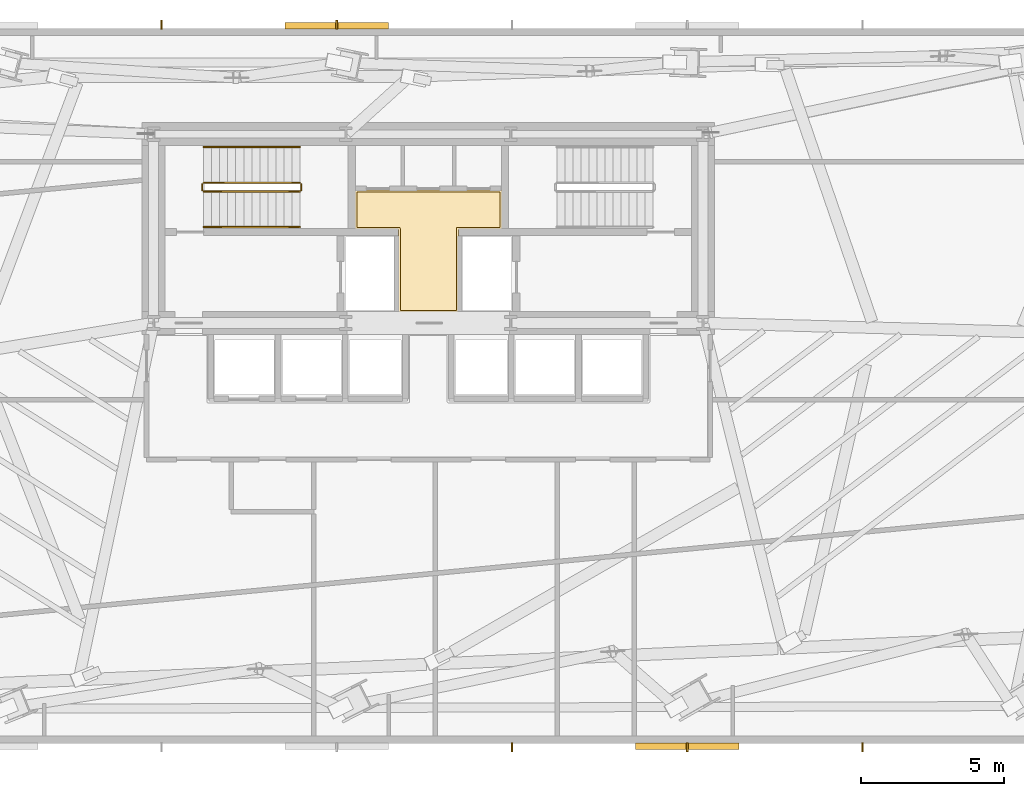
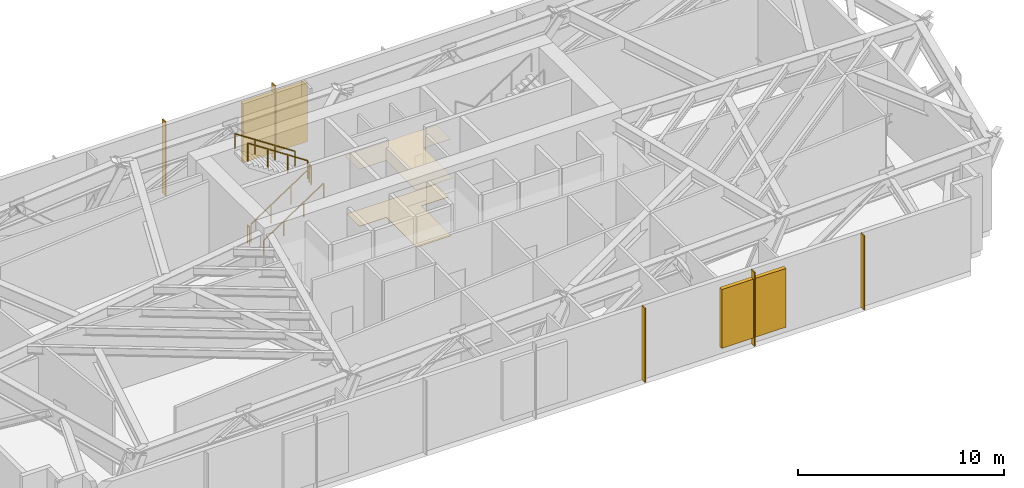
# One storey, part 10 of 11: 7 shading devices, 6 railings, 2 coverings.
"""IFC4 building model written with IfcOpenShell, lengths in metres."""

from ifc_helpers import new_model, si_unit, direction, frame, origin, origin_2d, place, context, subcontext, project, spatial, polyline, rectangle, outline, extrude, source, transform, mapped, material, layer, layer_set, type_object, type_shapes, element, save


model = new_model("IFC4")

# Units and contexts
model_context = context("Model", 3, precision=1e-05, world=origin(), true_north=direction((0.0, 1.0)))
body_context = subcontext(model_context, "Body", "Model", "MODEL_VIEW")
ifc_project = project(units=[si_unit("LENGTHUNIT", "METRE"), si_unit("AREAUNIT", "SQUARE_METRE"), si_unit("VOLUMEUNIT", "CUBIC_METRE"), si_unit("PLANEANGLEUNIT", "RADIAN"), si_unit("MASSUNIT", "GRAM", prefix="KILO")], contexts=[model_context])

# Site, building, storey
site_placement = place(None, origin())
site = spatial("IfcSite", under=ifc_project, at=site_placement, CompositionType="ELEMENT")
building_placement = place(site_placement, origin())
building = spatial("IfcBuilding", under=site, at=building_placement, Name="Astriad Promenade Condominiums", CompositionType="ELEMENT")
storey_placement = place(building_placement, frame((0.0, 0.0, 67.800048828125)))
storey = spatial("IfcBuildingStorey", under=building, at=storey_placement, Name="L19", CompositionType="ELEMENT", Elevation=67.800048828125)

# Coverings
ifc_material_1 = material(Name="Mineral-Fibre Acoustic Ceiling Tile")
ifc_layer_1 = layer(ifc_material_1, 0.02490234375)
ifc_layer_set_1 = layer_set([ifc_layer_1], Name="Mineral-Fibre Acoustic Ceiling Tile")
covering_type_1 = type_object("IfcCoveringType", Name="COV-CEIL-ACOUSTIC-25", PredefinedType="CEILING", material=ifc_layer_set_1)
covering_1_placement = place(storey_placement, frame((0.0, 0.0, 3.43505859375)))
element("IfcCovering", 1, at=covering_1_placement, inside=storey, type_object=covering_type_1, Name="CEIL-L19-CSL", PredefinedType="CEILING", context=body_context, shape_type="SweptSolid", body=[
    extrude(outline(polyline([(37.050048828125, 17.800048828125), (37.0498046875, 17.797119140625), (37.04931640625, 17.794189453125), (37.048583984375, 17.791259765625), (37.047607421875, 17.78857421875), (37.04638671875, 17.785888671875), (37.044921875, 17.783203125), (37.043212890625, 17.781005859375), (37.041259765625, 17.77880859375), (37.0390625, 17.77685546875), (37.03662109375, 17.775146484375), (37.0341796875, 17.7734375), (37.031494140625, 17.772216796875), (37.02880859375, 17.771240234375), (37.02587890625, 17.7705078125), (37.02294921875, 17.77001953125), (37.02001953125, 17.77001953125), (34.97998046875, 17.77001953125), (34.97705078125, 17.77001953125), (34.97412109375, 17.7705078125), (34.97119140625, 17.771240234375), (34.968505859375, 17.772216796875), (34.9658203125, 17.7734375), (34.96337890625, 17.775146484375), (34.9609375, 17.77685546875), (34.958740234375, 17.77880859375), (34.956787109375, 17.781005859375), (34.955078125, 17.783203125), (34.95361328125, 17.785888671875), (34.952392578125, 17.78857421875), (34.951416015625, 17.791259765625), (34.95068359375, 17.794189453125), (34.9501953125, 17.797119140625), (34.949951171875, 17.800048828125), (34.949951171875, 20.669921875), (33.4599609375, 20.669921875), (33.45703125, 20.670166015625), (33.4541015625, 20.670654296875), (33.451416015625, 20.67138671875), (33.448486328125, 20.67236328125), (33.44580078125, 20.673583984375), (33.443359375, 20.675048828125), (33.44091796875, 20.6767578125), (33.438720703125, 20.6787109375), (33.436767578125, 20.680908203125), (33.43505859375, 20.683349609375), (33.43359375, 20.685791015625), (33.432373046875, 20.6884765625), (33.431396484375, 20.69140625), (33.4306640625, 20.694091796875), (33.43017578125, 20.697021484375), (33.429931640625, 20.699951171875), (33.429931640625, 22.02001953125), (33.43017578125, 22.02294921875), (33.4306640625, 22.02587890625), (33.431396484375, 22.02880859375), (33.432373046875, 22.031494140625), (33.43359375, 22.0341796875), (33.43505859375, 22.03662109375), (33.436767578125, 22.0390625), (33.438720703125, 22.041259765625), (33.44091796875, 22.043212890625), (33.443359375, 22.044921875), (33.44580078125, 22.04638671875), (33.448486328125, 22.047607421875), (33.451416015625, 22.048583984375), (33.4541015625, 22.04931640625), (33.45703125, 22.0498046875), (33.4599609375, 22.050048828125), (38.5400390625, 22.050048828125), (38.54296875, 22.0498046875), (38.5458984375, 22.04931640625), (38.548583984375, 22.048583984375), (38.551513671875, 22.047607421875), (38.55419921875, 22.04638671875), (38.556640625, 22.044921875), (38.55908203125, 22.043212890625), (38.561279296875, 22.041259765625), (38.563232421875, 22.0390625), (38.56494140625, 22.03662109375), (38.56640625, 22.0341796875), (38.567626953125, 22.031494140625), (38.568603515625, 22.02880859375), (38.5693359375, 22.02587890625), (38.56982421875, 22.02294921875), (38.570068359375, 22.02001953125), (38.570068359375, 20.699951171875), (38.56982421875, 20.697021484375), (38.5693359375, 20.694091796875), (38.568603515625, 20.69140625), (38.567626953125, 20.6884765625), (38.56640625, 20.685791015625), (38.56494140625, 20.683349609375), (38.563232421875, 20.680908203125), (38.561279296875, 20.6787109375), (38.55908203125, 20.6767578125), (38.556640625, 20.675048828125), (38.55419921875, 20.673583984375), (38.551513671875, 20.67236328125), (38.548583984375, 20.67138671875), (38.5458984375, 20.670654296875), (38.54296875, 20.670166015625), (38.5400390625, 20.669921875), (37.050048828125, 20.669921875), (37.050048828125, 17.800048828125)])), origin(), (0.0, 0.0, 1.0), 0.02490234375),
])
ifc_material_2 = material(Name="Polished Lakefront Terrazzo Flooring")
ifc_layer_2 = layer(ifc_material_2, 0.02001953125)
ifc_layer_set_2 = layer_set([ifc_layer_2], Name="Polished Lakefront Terrazzo Flooring")
covering_type_2 = type_object("IfcCoveringType", Name="COV-FLOR-TERRAZZO-20", PredefinedType="FLOORING", material=ifc_layer_set_2)
covering_2_placement = place(storey_placement, origin())
element("IfcCovering", 2, at=covering_2_placement, inside=storey, type_object=covering_type_2, Name="FLR-L19-CSL", PredefinedType="FLOORING", context=body_context, shape_type="SweptSolid", body=[
    extrude(outline(polyline([(36.97998046875, 20.699951171875), (36.97998046875, 17.840087890625), (35.02001953125, 17.840087890625), (35.02001953125, 20.699951171875), (35.019775390625, 20.703857421875), (35.019287109375, 20.707763671875), (35.018310546875, 20.711669921875), (35.01708984375, 20.71533203125), (35.015380859375, 20.718994140625), (35.01318359375, 20.72216796875), (35.010986328125, 20.725341796875), (35.00830078125, 20.728271484375), (35.00537109375, 20.73095703125), (35.002197265625, 20.7333984375), (34.998779296875, 20.7353515625), (34.995361328125, 20.737060546875), (34.99169921875, 20.73828125), (34.98779296875, 20.7392578125), (34.98388671875, 20.73974609375), (34.97998046875, 20.739990234375), (33.5, 20.739990234375), (33.5, 21.97998046875), (38.5, 21.97998046875), (38.5, 20.739990234375), (37.02001953125, 20.739990234375), (37.01611328125, 20.73974609375), (37.01220703125, 20.7392578125), (37.00830078125, 20.73828125), (37.004638671875, 20.737060546875), (37.001220703125, 20.7353515625), (36.997802734375, 20.7333984375), (36.99462890625, 20.73095703125), (36.99169921875, 20.728271484375), (36.989013671875, 20.725341796875), (36.98681640625, 20.72216796875), (36.984619140625, 20.718994140625), (36.98291015625, 20.71533203125), (36.981689453125, 20.711669921875), (36.980712890625, 20.707763671875), (36.980224609375, 20.703857421875), (36.97998046875, 20.699951171875)])), origin(), (0.0, 0.0, 1.0), 0.02001953125),
])

# Shading devices
ifc_material_3 = material(Name="Anodised aluminium 6063-T6 Black Louvre", Category="aluminium")
shading_device_type_1 = type_object("IfcShadingDeviceType", Name="LOUVRE-ACOUSTIC-220", PredefinedType="JALOUSIE", material=ifc_material_3)
shared_shape_1 = source(origin(), body_context, "Body", "SweptSolid", [
    extrude(rectangle(XDim=3.60009765625, YDim=0.219970703125, at=origin_2d()), origin(), (0.0, 0.0, 1.0), 3.47998046875),
])
type_shapes(shading_device_type_1, [shared_shape_1])
for number, where, z_axis, x_axis, name in (
    (3, (32.800048828125, 27.7900390625, 0.449951171875), (0.0, 0.0, 1.0), (1.0, 0.0, 0.0), "LVR-L19-N-2"),
    (4, (45.050048828125, 2.610107421875, 0.449951171875), (0.0, 0.0, 1.0), (-1.0, 0.0, 0.0), "LVR-L19-S-1"),
):
    element("IfcShadingDevice", number, at=place(storey_placement, frame(where, z_axis=z_axis, x_axis=x_axis)), inside=storey, type_object=shading_device_type_1, Name=name, PredefinedType="JALOUSIE", context=body_context, shape_type="MappedRepresentation", body=[
        mapped(shared_shape_1, transform((0.0, 0.0, 0.0), scale=1.0)),
    ])
ifc_material_4 = material(Name="Anodised aluminium 6063-T6 Black Fin", Category="aluminium")
shading_device_type_2 = type_object("IfcShadingDeviceType", Name="FIN-BLACK-320", PredefinedType="USERDEFINED", material=ifc_material_4)
shared_shape_2 = source(origin(), body_context, "Body", "SweptSolid", [
    extrude(rectangle(XDim=0.06494140625, YDim=0.320068359375, at=origin_2d()), origin(), (0.0, 0.0, 1.0), 4.3798828125),
])
type_shapes(shading_device_type_2, [shared_shape_2])
for number, where, z_axis, x_axis, name in (
    (5, (26.675048828125, 27.830078125, 0.0), (0.0, 0.0, 1.0), (1.0, 0.0, 0.0), "FIN-PLT-L19-N-03"),
    (6, (32.800048828125, 27.830078125, 0.0), (0.0, 0.0, 1.0), (1.0, 0.0, 0.0), "FIN-PLT-L19-N-04"),
    (7, (51.175048828125, 2.570068359375, 0.0), (0.0, 0.0, 1.0), (-1.0, 0.0, 0.0), "FIN-PLT-L19-S-01"),
    (8, (45.050048828125, 2.570068359375, 0.0), (0.0, 0.0, 1.0), (-1.0, 0.0, 0.0), "FIN-PLT-L19-S-02"),
    (9, (38.925048828125, 2.570068359375, 0.0), (0.0, 0.0, 1.0), (-1.0, 0.0, 0.0), "FIN-PLT-L19-S-03"),
):
    element("IfcShadingDevice", number, at=place(storey_placement, frame(where, z_axis=z_axis, x_axis=x_axis)), inside=storey, type_object=shading_device_type_2, Name=name, ObjectType="FIN", PredefinedType="USERDEFINED", context=body_context, shape_type="MappedRepresentation", body=[
        mapped(shared_shape_2, transform((0.0, 0.0, 0.0), scale=1.0)),
    ])

# Railings
ifc_material_5 = material(Name="Painted Galvanised Steel Guardrail", Category="steel")
railing_type_1 = type_object("IfcRailingType", Name="GRD-STAIR-1100", PredefinedType="GUARDRAIL", material=ifc_material_5)
shared_shape_3 = source(origin(), body_context, "Body", "SweptSolid", [
    extrude(rectangle(XDim=0.048095703125, YDim=0.048095703125, at=origin_2d()), frame((0.0, 0.0, 1.076171875), z_axis=(0.0, 1.0, 0.0), x_axis=(-1.0, 0.0, 0.0)), (0.0, 0.0, 1.0), 0.199951171875),
    extrude(rectangle(XDim=0.0419921875, YDim=0.0419921875, at=origin_2d()), origin(), (0.0, 0.0, 1.0), 1.052001953125),
    extrude(rectangle(XDim=0.0419921875, YDim=0.0419921875, at=origin_2d()), frame((0.0, 0.199951171875, 0.0)), (0.0, 0.0, 1.0), 1.052001953125),
])
for number, where, name in (
    (10, (31.56005859375, 22.050048828125, 2.39990234375), "L19 ST-1 stair guard 2"),
    (11, (28.10009765625, 22.050048828125, 0.0), "L19 ST-1 stair guard 4"),
):
    element("IfcRailing", number, at=place(storey_placement, frame(where)), inside=storey, type_object=railing_type_1, Name=name, PredefinedType="GUARDRAIL", context=body_context, shape_type="MappedRepresentation", body=[
        mapped(shared_shape_3, transform((0.0, 0.0, 0.0), scale=1.0)),
    ])
shared_shape_4 = source(origin(), body_context, "Body", "SweptSolid", [
    extrude(rectangle(XDim=0.048095703125, YDim=0.048095703125, at=origin_2d()), frame((0.0, 0.0, 1.076171875), z_axis=(0.834876476806, 0.0, 0.550437342915), x_axis=(0.0, 1.0, 0.0)), (0.0, 0.0, 1.0), 4.024658203125),
    extrude(rectangle(XDim=0.0419921875, YDim=0.0419921875, at=origin_2d()), origin(), (0.0, 0.0, 1.0), 1.052001953125),
    extrude(rectangle(XDim=0.0419921875, YDim=0.0419921875, at=origin_2d()), frame((1.1201171875, 0.0, 0.738525390625)), (0.0, 0.0, 1.0), 1.052001953125),
    extrude(rectangle(XDim=0.0419921875, YDim=0.0419921875, at=origin_2d()), frame((2.239990234375, 0.0, 1.476806640625)), (0.0, 0.0, 1.0), 1.052001953125),
    extrude(rectangle(XDim=0.0419921875, YDim=0.0419921875, at=origin_2d()), frame((3.360107421875, 0.0, 2.21533203125)), (0.0, 0.0, 1.0), 1.052001953125),
])
railing_1_placement = place(storey_placement, frame((28.14990234375, 22.0, 0.1845703125)))
element("IfcRailing", 12, at=railing_1_placement, inside=storey, type_object=railing_type_1, Name="L19 ST-1 stair guard 1", PredefinedType="GUARDRAIL", context=body_context, shape_type="MappedRepresentation", body=[
    mapped(shared_shape_4, transform((0.0, 0.0, 0.0), scale=1.0)),
])
shared_shape_5 = source(origin(), body_context, "Body", "SweptSolid", [
    extrude(rectangle(XDim=0.048095703125, YDim=0.048095703125, at=origin_2d()), frame((0.0, 0.0, 1.076171875), z_axis=(-0.834848600103, 0.0, 0.550479622607), x_axis=(0.0, -1.0, 0.0)), (0.0, 0.0, 1.0), 4.02490234375),
    extrude(rectangle(XDim=0.0419921875, YDim=0.0419921875, at=origin_2d()), origin(), (0.0, 0.0, 1.0), 1.052001953125),
    extrude(rectangle(XDim=0.0419921875, YDim=0.0419921875, at=origin_2d()), frame((-1.1201171875, 0.0, 0.738525390625)), (0.0, 0.0, 1.0), 1.052001953125),
    extrude(rectangle(XDim=0.0419921875, YDim=0.0419921875, at=origin_2d()), frame((-2.239990234375, 0.0, 1.47705078125)), (0.0, 0.0, 1.0), 1.052001953125),
    extrude(rectangle(XDim=0.0419921875, YDim=0.0419921875, at=origin_2d()), frame((-3.360107421875, 0.0, 2.215576171875)), (0.0, 0.0, 1.0), 1.052001953125),
])
type_shapes(railing_type_1, [shared_shape_3, shared_shape_4, shared_shape_5])
railing_2_placement = place(storey_placement, frame((31.510009765625, 22.300048828125, 2.58447265625)))
element("IfcRailing", 13, at=railing_2_placement, inside=storey, type_object=railing_type_1, Name="L19 ST-1 stair guard 3", PredefinedType="GUARDRAIL", context=body_context, shape_type="MappedRepresentation", body=[
    mapped(shared_shape_5, transform((0.0, 0.0, 0.0), scale=1.0)),
])
ifc_material_6 = material(Name="Brushed Stainless Steel Handrail", Category="steel")
railing_type_2 = type_object("IfcRailingType", Name="HRL-STAIR-920", PredefinedType="HANDRAIL", material=ifc_material_6)
shared_shape_6 = source(origin(), body_context, "Body", "SweptSolid", [
    extrude(rectangle(XDim=0.048095703125, YDim=0.048095703125, at=origin_2d()), frame((0.0, 0.0, 0.8759765625), z_axis=(0.834876476806, 0.0, 0.550437342915), x_axis=(0.0, 1.0, 0.0)), (0.0, 0.0, 1.0), 4.024658203125),
    extrude(rectangle(XDim=0.0419921875, YDim=0.0419921875, at=origin_2d()), origin(), (0.0, 0.0, 1.0), 0.851806640625),
    extrude(rectangle(XDim=0.0419921875, YDim=0.0419921875, at=origin_2d()), frame((1.1201171875, 0.0, 0.738525390625)), (0.0, 0.0, 1.0), 0.851806640625),
    extrude(rectangle(XDim=0.0419921875, YDim=0.0419921875, at=origin_2d()), frame((2.239990234375, 0.0, 1.476806640625)), (0.0, 0.0, 1.0), 0.851806640625),
    extrude(rectangle(XDim=0.0419921875, YDim=0.0419921875, at=origin_2d()), frame((3.360107421875, 0.0, 2.21533203125)), (0.0, 0.0, 1.0), 0.851806640625),
])
railing_3_placement = place(storey_placement, frame((28.14990234375, 20.75, 0.1845703125)))
element("IfcRailing", 14, at=railing_3_placement, inside=storey, type_object=railing_type_2, Name="L19 ST-1 stair handrail 1", PredefinedType="HANDRAIL", context=body_context, shape_type="MappedRepresentation", body=[
    mapped(shared_shape_6, transform((0.0, 0.0, 0.0), scale=1.0)),
])
shared_shape_7 = source(origin(), body_context, "Body", "SweptSolid", [
    extrude(rectangle(XDim=0.048095703125, YDim=0.048095703125, at=origin_2d()), frame((0.0, 0.0, 0.8759765625), z_axis=(-0.834848600103, 0.0, 0.550479622607), x_axis=(0.0, -1.0, 0.0)), (0.0, 0.0, 1.0), 4.02490234375),
    extrude(rectangle(XDim=0.0419921875, YDim=0.0419921875, at=origin_2d()), origin(), (0.0, 0.0, 1.0), 0.851806640625),
    extrude(rectangle(XDim=0.0419921875, YDim=0.0419921875, at=origin_2d()), frame((-1.1201171875, 0.0, 0.738525390625)), (0.0, 0.0, 1.0), 0.851806640625),
    extrude(rectangle(XDim=0.0419921875, YDim=0.0419921875, at=origin_2d()), frame((-2.239990234375, 0.0, 1.47705078125)), (0.0, 0.0, 1.0), 0.851806640625),
    extrude(rectangle(XDim=0.0419921875, YDim=0.0419921875, at=origin_2d()), frame((-3.360107421875, 0.0, 2.215576171875)), (0.0, 0.0, 1.0), 0.851806640625),
])
type_shapes(railing_type_2, [shared_shape_6, shared_shape_7])
railing_4_placement = place(storey_placement, frame((31.510009765625, 23.550048828125, 2.58447265625)))
element("IfcRailing", 15, at=railing_4_placement, inside=storey, type_object=railing_type_2, Name="L19 ST-1 stair handrail 2", PredefinedType="HANDRAIL", context=body_context, shape_type="MappedRepresentation", body=[
    mapped(shared_shape_7, transform((0.0, 0.0, 0.0), scale=1.0)),
])

save(model, "model.ifc")
